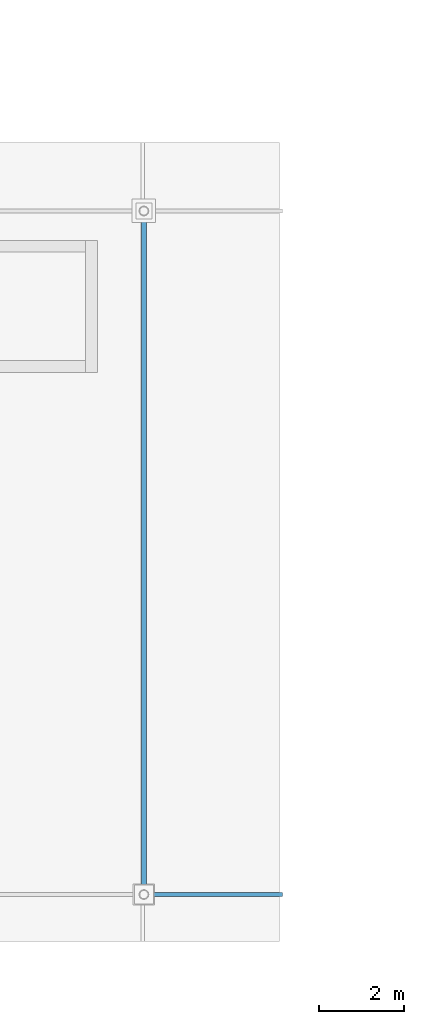
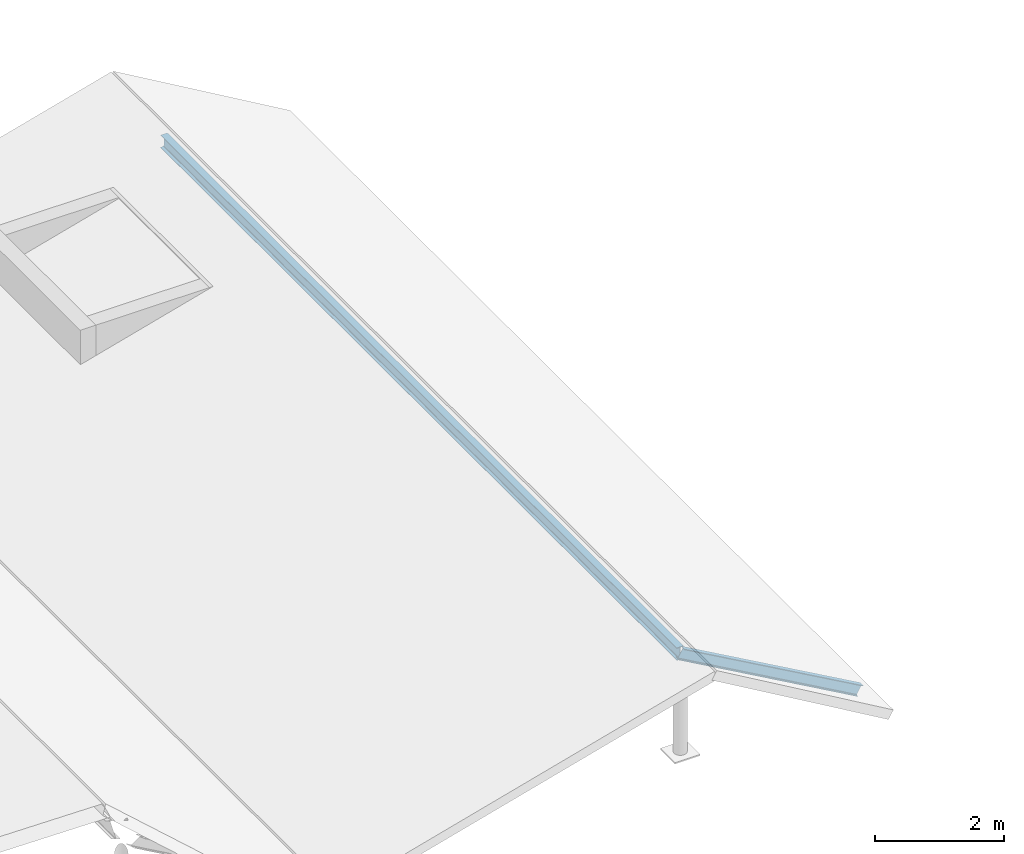
# One storey, part 7 of 70: 2 beams.
"""IFC4 building model written with IfcOpenShell, lengths in metres."""

import ifcopenshell
import ifcopenshell.guid

model = None  # the IFC model being written
_history = None  # IfcOwnerHistory: only IFC2X3 demands one
_inside = {}  # id of a spatial element -> (the spatial element, [elements in it])
_under = {}  # id of a project, library or spatial element -> (it, [spatial elements below it])
_declared = {}  # id of a project -> (the project, [libraries it declares])
_typed = {}  # id of a type object -> (the type object, [elements of that type])
_made_of = {}  # id of a material, layer set ... -> (it, [elements and type objects made of it])


def new_model(schema):
    """Start an empty IFC model of exactly this schema.

    Asked for "IFC4X3", IfcOpenShell would pick the latest addendum, in which some entities
    have other attributes; the version numbers below select the first issue.
    IFC2X3 requires an IfcOwnerHistory on every rooted entity: one is made here for all.
    """
    global model, _history
    if schema == "IFC4X3":
        model = ifcopenshell.file(schema_version=(4, 3, 0, 0))
    else:
        model = ifcopenshell.file(schema=schema)
    _inside.clear()
    _under.clear()
    _declared.clear()
    _typed.clear()
    _made_of.clear()
    _history = None
    if model.schema == "IFC2X3":
        org = make("IfcOrganization", Name="unknown")
        user = make(
            "IfcPersonAndOrganization",
            ThePerson=make("IfcPerson", FamilyName="unknown"),
            TheOrganization=org,
        )
        app = make(
            "IfcApplication",
            ApplicationDeveloper=org,
            Version="unknown",
            ApplicationFullName="unknown",
            ApplicationIdentifier="unknown",
        )
        _history = make(
            "IfcOwnerHistory",
            OwningUser=user,
            OwningApplication=app,
            ChangeAction="ADDED",
            CreationDate=0,
        )
    return model


def make(cls, **values):
    """One entity of the class cls with the attributes given. An attribute that is None is left unset."""
    return model.create_entity(
        cls, **{name: value for name, value in values.items() if value is not None}
    )


def rooted(cls, **values):
    """An entity with a GlobalId (a new one), such as an element, a storey or a relation."""
    return make(cls, GlobalId=ifcopenshell.guid.new(), OwnerHistory=_history, **values)


def si_unit(unit_type, name, prefix=None):
    """IfcSIUnit, for example si_unit("LENGTHUNIT", "METRE", prefix="MILLI")."""
    return make("IfcSIUnit", UnitType=unit_type, Prefix=prefix, Name=name)


def assignment(units):
    """IfcUnitAssignment: the units of a project."""
    return None if units is None else make("IfcUnitAssignment", Units=units)


def point(xyz):
    """IfcCartesianPoint."""
    return None if xyz is None else make("IfcCartesianPoint", Coordinates=xyz)


def direction(xyz):
    """IfcDirection."""
    return None if xyz is None else make("IfcDirection", DirectionRatios=xyz)


def frame(location, z_axis=None, x_axis=None):
    """IfcAxis2Placement3D, a coordinate frame: its origin and axes. An axis left out is left unset."""
    return make(
        "IfcAxis2Placement3D",
        Location=point(location),
        Axis=direction(z_axis),
        RefDirection=direction(x_axis),
    )


def frame_2d(location, x_axis=None):
    """IfcAxis2Placement2D, a coordinate frame in the plane: its origin and x axis."""
    return make(
        "IfcAxis2Placement2D", Location=point(location), RefDirection=direction(x_axis)
    )


def origin():
    """The frame at (0, 0, 0) with its axes left unset."""
    return frame((0.0, 0.0, 0.0))


def origin_2d():
    """The frame at (0, 0) in the plane with its x axis left unset."""
    return frame_2d((0.0, 0.0))


def place(relative_to, where):
    """IfcLocalPlacement: puts the frame where relative to a parent placement (None: the world)."""
    return make(
        "IfcLocalPlacement", PlacementRelTo=relative_to, RelativePlacement=where
    )


def context(
    kind, dimensions, precision=None, world=None, true_north=None, identifier=None
):
    """IfcGeometricRepresentationContext, for example the 3D "Model" context."""
    return make(
        "IfcGeometricRepresentationContext",
        ContextIdentifier=identifier,
        ContextType=kind,
        CoordinateSpaceDimension=dimensions,
        Precision=precision,
        WorldCoordinateSystem=world,
        TrueNorth=true_north,
    )


def subcontext(parent, identifier, kind, view, scale=None):
    """IfcGeometricRepresentationSubContext, for example "Body" below "Model"."""
    return make(
        "IfcGeometricRepresentationSubContext",
        ContextIdentifier=identifier,
        ContextType=kind,
        ParentContext=parent,
        TargetScale=scale,
        TargetView=view,
    )


def project(units=None, contexts=None):
    """IfcProject with its units and contexts."""
    return rooted(
        "IfcProject",
        Name="project",
        RepresentationContexts=contexts,
        UnitsInContext=assignment(units),
    )


def spatial(cls, under=None, at=None, **own):
    """A site, building, storey or space (cls), placed at a placement, below another one or the project."""
    s = rooted(cls, ObjectPlacement=at, **own)
    if under is not None:
        _under.setdefault(under.id(), (under, []))[1].append(s)
    return s


def profile(cls, at=None, kind="AREA", **sizes):
    """A parametric profile (cls). Its sizes go by their IFC names, for example OverallWidth=200.0."""
    return make(cls, ProfileType=kind, Position=at, **sizes)


def i_section(**sizes):
    """IfcIShapeProfileDef."""
    return profile("IfcIShapeProfileDef", **sizes)


def extrude(swept, where, along, depth):
    """IfcExtrudedAreaSolid: the profile swept, set in the frame where, extruded along a direction by depth."""
    return make(
        "IfcExtrudedAreaSolid",
        SweptArea=swept,
        Position=where,
        ExtrudedDirection=direction(along),
        Depth=depth,
    )


def shape(context_of_items, identifier, shape_type, items):
    """IfcShapeRepresentation: the items that make up one representation, for example the "Body"."""
    return make(
        "IfcShapeRepresentation",
        ContextOfItems=context_of_items,
        RepresentationIdentifier=identifier,
        RepresentationType=shape_type,
        Items=items,
    )


def material(Name=None, Category=None):
    """IfcMaterial."""
    return make("IfcMaterial", Name=Name, Category=Category)


def material_profile(
    of_material, cross_section, Name=None, Category=None, Priority=None
):
    """IfcMaterialProfile: a cross section and its material."""
    return make(
        "IfcMaterialProfile",
        Name=Name,
        Material=of_material,
        Profile=cross_section,
        Priority=Priority,
        Category=Category,
    )


def profile_set(profiles, Name=None, composite=None):
    """IfcMaterialProfileSet."""
    return make(
        "IfcMaterialProfileSet",
        Name=Name,
        MaterialProfiles=profiles,
        CompositeProfile=composite,
    )


def made_of(thing, what):
    """Note that an element or type object is made of a material, layer set ...; save() writes the relation."""
    if what is not None:
        _made_of.setdefault(what.id(), (what, []))[1].append(thing)
    return thing


def type_object(cls, material=None, **own):
    """A type object (cls), such as IfcWallType, which elements share."""
    return made_of(rooted(cls, **own), material)


def element(
    cls,
    number,
    at=None,
    inside=None,
    cuts=None,
    type_object=None,
    material=None,
    context=None,
    identifier="Body",
    shape_type=None,
    held_by="IfcProductDefinitionShape",
    body=None,
    shapes=None,
    **own,
):
    """One element of the class cls, such as IfcWall. Its Tag is "e" and its number.

    at: its placement. inside: the storey or other place that contains it. cuts: it is an
    opening in that element (IfcRelVoidsElement). A single representation is given by context,
    identifier, shape_type and body (its items); several are given by shapes. held_by: the class
    of the entity that holds the representations. save() writes the other relations.
    """
    e = rooted(cls, Tag="e%d" % number, ObjectPlacement=at, **own)
    if body is not None:
        shapes = [shape(context, identifier, shape_type, body)]
    if shapes is not None:
        e.Representation = make(held_by, Representations=shapes)
    if inside is not None:
        _inside.setdefault(inside.id(), (inside, []))[1].append(e)
    if cuts is not None:
        rooted(
            "IfcRelVoidsElement", RelatingBuildingElement=cuts, RelatedOpeningElement=e
        )
    if type_object is not None:
        _typed.setdefault(type_object.id(), (type_object, []))[1].append(e)
    return made_of(e, material)


def aggregate(whole, parts):
    """IfcRelAggregates: a whole, such as a stair, and the parts it consists of."""
    return rooted("IfcRelAggregates", RelatingObject=whole, RelatedObjects=parts)


def save(model, path):
    """Write the relations noted so far, then the file.

    IfcRelAggregates (storeys below a building ...), IfcRelContainedInSpatialStructure (elements
    in a storey), IfcRelDefinesByType, IfcRelAssociatesMaterial and IfcRelDeclares: one each for
    every whole, place, type object, material and project.
    """
    for whole, parts in _under.values():
        aggregate(whole, parts)
    for where, things in _inside.values():
        rooted(
            "IfcRelContainedInSpatialStructure",
            RelatedElements=things,
            RelatingStructure=where,
        )
    for kind, things in _typed.values():
        rooted("IfcRelDefinesByType", RelatedObjects=things, RelatingType=kind)
    for what, things in _made_of.values():
        rooted("IfcRelAssociatesMaterial", RelatedObjects=things, RelatingMaterial=what)
    for by, libraries in _declared.values():
        rooted("IfcRelDeclares", RelatingContext=by, RelatedDefinitions=libraries)
    model.write(path)


model = new_model("IFC4")

# Units and contexts
model_context = context("Model", 3, precision=1e-05, world=origin(), true_north=direction((0.0, 1.0)))
body_context = subcontext(model_context, "Body", "Model", "MODEL_VIEW")
ifc_project = project(units=[si_unit("LENGTHUNIT", "METRE"), si_unit("AREAUNIT", "SQUARE_METRE"), si_unit("VOLUMEUNIT", "CUBIC_METRE"), si_unit("PLANEANGLEUNIT", "RADIAN"), si_unit("MASSUNIT", "GRAM", prefix="KILO")], contexts=[model_context])

# Site, building, storey
site_placement = place(None, origin())
site = spatial("IfcSite", under=ifc_project, at=site_placement, CompositionType="ELEMENT")
building_placement = place(site_placement, origin())
building = spatial("IfcBuilding", under=site, at=building_placement, Name="Zimvara Arc Housing Community", CompositionType="ELEMENT")
storey_placement = place(building_placement, frame((0.0, 0.0, 8.10009765625)))
storey = spatial("IfcBuildingStorey", under=building, at=storey_placement, Name="L02", CompositionType="ELEMENT", Elevation=8.10009765625)

# Beams
ifc_material_1 = material(Name="Steel S355", Category="steel")
ifc_material_profile_1 = material_profile(ifc_material_1, i_section(OverallWidth=0.10009765625, OverallDepth=0.199951171875, WebThickness=0.005615234375, FlangeThickness=0.008544921875, FilletRadius=0.011962890625, at=origin_2d()), Name="IPE 200")
ifc_profile_set_1 = profile_set([ifc_material_profile_1], Name="Steel S355")
beam_type_1 = type_object("IfcBeamType", Name="BM-ST-IPE200", PredefinedType="JOIST", material=ifc_profile_set_1)
beam_1_placement = place(storey_placement, frame((54.800048828125, 3.60009765625, 1.119873046875), z_axis=(0.870400769077, 0.0, -0.492343885095), x_axis=(0.0, 1.0, 0.0)))
element("IfcBeam", 1, at=beam_1_placement, inside=storey, type_object=beam_type_1, Name="bm:shops:L02:raf_e:b5:y0", PredefinedType="JOIST", context=body_context, shape_type="SweptSolid", body=[
    extrude(i_section(OverallWidth=0.10009765625, OverallDepth=0.199951171875, WebThickness=0.005615234375, FlangeThickness=0.008544921875, FilletRadius=0.011962890625, at=origin_2d()), origin(), (0.0, 0.0, 1.0), 3.676513671875),
])
ifc_material_2 = material(Name="Steel S355", Category="steel")
ifc_material_profile_2 = material_profile(ifc_material_2, i_section(OverallWidth=0.1201171875, OverallDepth=0.239990234375, WebThickness=0.006103515625, FlangeThickness=0.009765625, FilletRadius=0.014892578125, at=origin_2d()), Name="IPE 240")
ifc_profile_set_2 = profile_set([ifc_material_profile_2], Name="Steel S355")
beam_type_2 = type_object("IfcBeamType", Name="BM-ST-IPE240", PredefinedType="JOIST", material=ifc_profile_set_2)
beam_2_placement = place(storey_placement, frame((54.800048828125, 3.60009765625, 1.119873046875), z_axis=(0.0, 1.0, 0.0), x_axis=(-1.0, 0.0, 0.0)))
element("IfcBeam", 2, at=beam_2_placement, inside=storey, type_object=beam_type_2, Name="bm:shops:L02:crest_bm:b5", PredefinedType="JOIST", context=body_context, shape_type="SweptSolid", body=[
    extrude(i_section(OverallWidth=0.1201171875, OverallDepth=0.239990234375, WebThickness=0.006103515625, FlangeThickness=0.009765625, FilletRadius=0.014892578125, at=origin_2d()), origin(), (0.0, 0.0, 1.0), 16.0),
])

save(model, "model.ifc")
